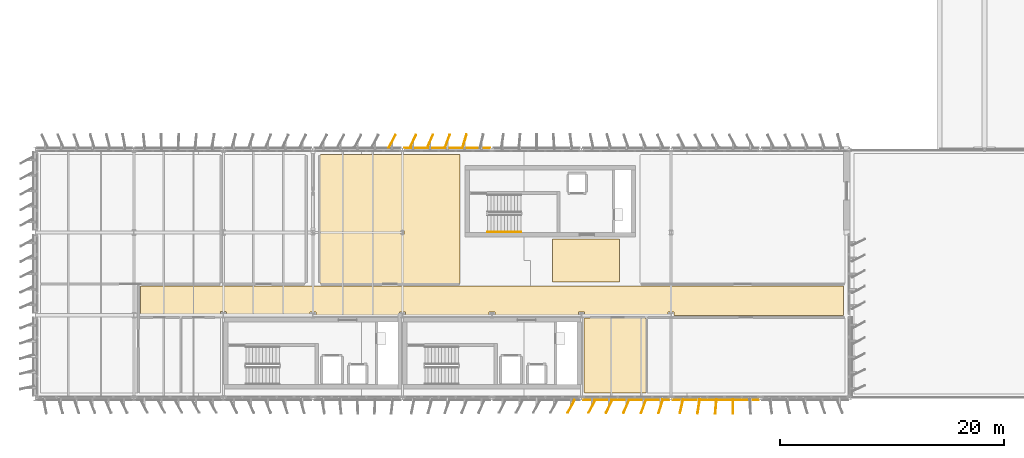
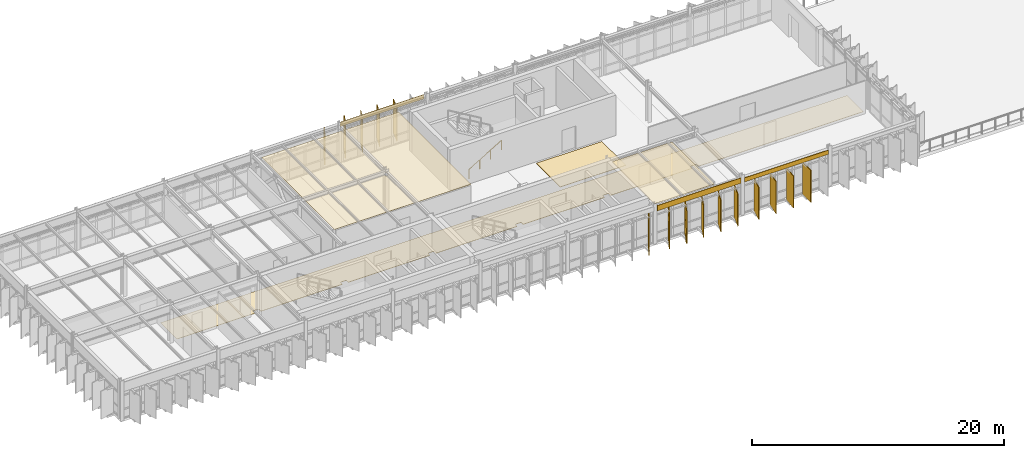
# One storey, part 33 of 35: 22 coverings, 1 railing.
"""IFC4 building model written with IfcOpenShell, lengths in metres."""

from ifc_helpers import new_model, si_unit, direction, frame, frame_2d, origin, origin_2d, place, context, subcontext, project, spatial, polyline, rectangle, circle, outline, extrude, material, layer, layer_set, type_object, element, save


model = new_model("IFC4")

# Units and contexts
model_context = context("Model", 3, precision=1e-05, world=origin(), true_north=direction((0.0, 1.0)))
body_context = subcontext(model_context, "Body", "Model", "MODEL_VIEW")
ifc_project = project(units=[si_unit("LENGTHUNIT", "METRE"), si_unit("AREAUNIT", "SQUARE_METRE"), si_unit("VOLUMEUNIT", "CUBIC_METRE"), si_unit("PLANEANGLEUNIT", "RADIAN"), si_unit("MASSUNIT", "GRAM", prefix="KILO")], contexts=[model_context])

# Site, building, storey
site_placement = place(None, origin())
site = spatial("IfcSite", under=ifc_project, at=site_placement, CompositionType="ELEMENT")
building_placement = place(site_placement, origin())
building = spatial("IfcBuilding", under=site, at=building_placement, Name="Valkorina Park Police Headquarters", CompositionType="ELEMENT")
storey_placement = place(building_placement, frame((0.0, 0.0, 27.199951171875)))
storey = spatial("IfcBuildingStorey", under=building, at=storey_placement, Name="L07", CompositionType="ELEMENT", Elevation=27.199951171875)

# Coverings
ifc_material_1 = material(Name="Acoustic mineral board")
ifc_layer_1 = layer(ifc_material_1, 0.02490234375)
ifc_layer_set_1 = layer_set([ifc_layer_1], Name="Acoustic mineral board")
covering_type_1 = type_object("IfcCoveringType", Name="COV-CEILING-ACOUST", PredefinedType="CEILING", material=ifc_layer_set_1)
covering_1_placement = place(storey_placement, frame((0.0, 0.0, 3.255126953125)))
element("IfcCovering", 1, at=covering_1_placement, inside=storey, type_object=covering_type_1, Name="Audio-Video Enhancement Laboratory Acoustic Suspended Ceiling", PredefinedType="CEILING", context=body_context, shape_type="SweptSolid", body=[
    extrude(outline(polyline([(37.8955078125, 58.758544921875), (37.8876953125, 58.759521484375), (37.8798828125, 58.760009765625), (25.52001953125, 58.760009765625), (25.51220703125, 58.759521484375), (25.50439453125, 58.758544921875), (25.496826171875, 58.756591796875), (25.489501953125, 58.75390625), (25.482421875, 58.75048828125), (25.4755859375, 58.74658203125), (25.46923828125, 58.74169921875), (25.46337890625, 58.736572265625), (25.458251953125, 58.730712890625), (25.45361328125, 58.724365234375), (25.449462890625, 58.7177734375), (25.446044921875, 58.710693359375), (25.443359375, 58.703125), (25.44140625, 58.695556640625), (25.4404296875, 58.687744140625), (25.43994140625, 58.679931640625), (25.43994140625, 47.320068359375), (25.4404296875, 47.312255859375), (25.44140625, 47.304443359375), (25.443359375, 47.296875), (25.446044921875, 47.289306640625), (25.449462890625, 47.2822265625), (25.45361328125, 47.275634765625), (25.458251953125, 47.269287109375), (25.46337890625, 47.263427734375), (25.46923828125, 47.25830078125), (25.4755859375, 47.25341796875), (25.482421875, 47.24951171875), (25.489501953125, 47.24609375), (25.496826171875, 47.243408203125), (25.50439453125, 47.241455078125), (25.51220703125, 47.240478515625), (25.52001953125, 47.239990234375), (37.8798828125, 47.239990234375), (37.8876953125, 47.240478515625), (37.8955078125, 47.241455078125), (37.9033203125, 47.243408203125), (37.91064453125, 47.24609375), (37.917724609375, 47.24951171875), (37.92431640625, 47.25341796875), (37.930908203125, 47.25830078125), (37.9365234375, 47.263427734375), (37.94189453125, 47.269287109375), (37.946533203125, 47.275634765625), (37.95068359375, 47.2822265625), (37.953857421875, 47.289306640625), (37.95654296875, 47.296875), (37.95849609375, 47.304443359375), (37.959716796875, 47.312255859375), (37.9599609375, 47.320068359375), (37.9599609375, 58.679931640625), (37.959716796875, 58.687744140625), (37.95849609375, 58.695556640625), (37.95654296875, 58.703125), (37.953857421875, 58.710693359375), (37.95068359375, 58.7177734375), (37.946533203125, 58.724365234375), (37.94189453125, 58.730712890625), (37.9365234375, 58.736572265625), (37.930908203125, 58.74169921875), (37.92431640625, 58.74658203125), (37.917724609375, 58.75048828125), (37.91064453125, 58.75390625), (37.9033203125, 58.756591796875), (37.8955078125, 58.758544921875)]), holes=[polyline([(32.64990234375, 51.60498046875), (32.64990234375, 51.9951171875), (32.949951171875, 51.9951171875), (32.949951171875, 51.60498046875), (32.64990234375, 51.60498046875)])]), origin(), (0.0, 0.0, 1.0), 0.02490234375),
])
covering_2_placement = place(storey_placement, frame((0.0, 0.0, 3.4150390625)))
element("IfcCovering", 2, at=covering_2_placement, inside=storey, type_object=covering_type_1, Name="L07 Accessible WC Acoustic Suspended Ceiling", PredefinedType="CEILING", context=body_context, shape_type="SweptSolid", body=[
    extrude(outline(polyline([(54.49560546875, 44.158447265625), (54.48779296875, 44.15966796875), (54.47998046875, 44.159912109375), (49.1201171875, 44.159912109375), (49.1123046875, 44.15966796875), (49.1044921875, 44.158447265625), (49.0966796875, 44.156494140625), (49.08935546875, 44.15380859375), (49.082275390625, 44.150634765625), (49.07568359375, 44.146484375), (49.069091796875, 44.141845703125), (49.0634765625, 44.13671875), (49.05810546875, 44.130859375), (49.053466796875, 44.12451171875), (49.04931640625, 44.11767578125), (49.046142578125, 44.110595703125), (49.04345703125, 44.103271484375), (49.04150390625, 44.095703125), (49.040283203125, 44.087890625), (49.0400390625, 44.080078125), (49.0400390625, 37.52001953125), (49.040283203125, 37.51220703125), (49.04150390625, 37.50439453125), (49.04345703125, 37.496826171875), (49.046142578125, 37.489501953125), (49.04931640625, 37.482421875), (49.053466796875, 37.4755859375), (49.05810546875, 37.46923828125), (49.0634765625, 37.46337890625), (49.069091796875, 37.458251953125), (49.07568359375, 37.45361328125), (49.082275390625, 37.449462890625), (49.08935546875, 37.446044921875), (49.0966796875, 37.443359375), (49.1044921875, 37.44140625), (49.1123046875, 37.4404296875), (49.1201171875, 37.43994140625), (54.47998046875, 37.43994140625), (54.48779296875, 37.4404296875), (54.49560546875, 37.44140625), (54.503173828125, 37.443359375), (54.510498046875, 37.446044921875), (54.517578125, 37.449462890625), (54.5244140625, 37.45361328125), (54.53076171875, 37.458251953125), (54.53662109375, 37.46337890625), (54.541748046875, 37.46923828125), (54.54638671875, 37.4755859375), (54.550537109375, 37.482421875), (54.553955078125, 37.489501953125), (54.556640625, 37.496826171875), (54.55859375, 37.50439453125), (54.5595703125, 37.51220703125), (54.56005859375, 37.52001953125), (54.56005859375, 44.080078125), (54.5595703125, 44.087890625), (54.55859375, 44.095703125), (54.556640625, 44.103271484375), (54.553955078125, 44.110595703125), (54.550537109375, 44.11767578125), (54.54638671875, 44.12451171875), (54.541748046875, 44.130859375), (54.53662109375, 44.13671875), (54.53076171875, 44.141845703125), (54.5244140625, 44.146484375), (54.517578125, 44.150634765625), (54.510498046875, 44.15380859375), (54.503173828125, 44.156494140625), (54.49560546875, 44.158447265625)])), origin(), (0.0, 0.0, 1.0), 0.02490234375),
])
ifc_material_2 = material(Name="Precast concrete C40/50", Category="concrete")
ifc_layer_2 = layer(ifc_material_2, 0.044921875)
ifc_layer_set_2 = layer_set([ifc_layer_2], Name="Precast concrete C40/50")
covering_type_2 = type_object("IfcCoveringType", Name="COV-CLAD-DOLOMITE", PredefinedType="CLADDING", material=ifc_layer_set_2)
covering_3_placement = place(storey_placement, frame((64.639892578125, 36.840087890625, 3.16015625), z_axis=(0.0, 0.0, 1.0), x_axis=(-1.0, 0.0, 0.0)))
element("IfcCovering", 3, at=covering_3_placement, inside=storey, type_object=covering_type_2, Name="L07 Spandrel Beam Insulated Fascia 2553", PredefinedType="CLADDING", context=body_context, shape_type="SweptSolid", body=[
    extrude(rectangle(XDim=7.679931640625, YDim=0.044921875, at=frame_2d((3.83984375, 0.0))), origin(), (0.0, 0.0, 1.0), 0.409912109375),
])
covering_4_placement = place(storey_placement, frame((56.639892578125, 36.840087890625, 3.16015625), z_axis=(0.0, 0.0, 1.0), x_axis=(-1.0, 0.0, 0.0)))
element("IfcCovering", 4, at=covering_4_placement, inside=storey, type_object=covering_type_2, Name="L07 Spandrel Beam Insulated Fascia 2554", PredefinedType="CLADDING", context=body_context, shape_type="SweptSolid", body=[
    extrude(rectangle(XDim=7.679931640625, YDim=0.044921875, at=frame_2d((3.83984375, 0.0))), origin(), (0.0, 0.0, 1.0), 0.519775390625),
])
covering_5_placement = place(storey_placement, frame((32.9599609375, 59.360107421875, 3.27001953125), z_axis=(0.0, 0.0, 1.0), x_axis=(1.0, 0.0, 0.0)))
element("IfcCovering", 5, at=covering_5_placement, inside=storey, type_object=covering_type_2, Name="L07 Spandrel Beam Insulated Fascia 2568", PredefinedType="CLADDING", context=body_context, shape_type="SweptSolid", body=[
    extrude(rectangle(XDim=7.679931640625, YDim=0.044921875, at=frame_2d((3.83984375, 0.0))), origin(), (0.0, 0.0, 1.0), 0.409912109375),
])
ifc_material_3 = material(Name="Resin terrazzo flooring")
ifc_layer_3 = layer(ifc_material_3, 0.030029296875)
ifc_layer_set_3 = layer_set([ifc_layer_3], Name="Resin terrazzo flooring")
covering_type_3 = type_object("IfcCoveringType", Name="COV-FLOOR-TERRAZZO", PredefinedType="FLOORING", material=ifc_layer_set_3)
covering_6_placement = place(storey_placement, origin())
element("IfcCovering", 6, at=covering_6_placement, inside=storey, type_object=covering_type_3, Name="L07 Taskforce and Intelligence Corridor Terrazzo Flooring", PredefinedType="FLOORING", context=body_context, shape_type="SweptSolid", body=[
    extrude(outline(polyline([(9.39990234375, 47.0), (9.39990234375, 44.39990234375), (16.530029296875, 44.39990234375), (16.530029296875, 44.6650390625), (16.530517578125, 44.6728515625), (16.531494140625, 44.6806640625), (16.533447265625, 44.688232421875), (16.5361328125, 44.695556640625), (16.539306640625, 44.70263671875), (16.54345703125, 44.70947265625), (16.548095703125, 44.7158203125), (16.553466796875, 44.7216796875), (16.55908203125, 44.726806640625), (16.565673828125, 44.7314453125), (16.572265625, 44.735595703125), (16.579345703125, 44.739013671875), (16.5869140625, 44.74169921875), (16.594482421875, 44.743408203125), (16.602294921875, 44.74462890625), (16.610107421875, 44.7451171875), (16.989990234375, 44.7451171875), (16.997802734375, 44.74462890625), (17.005615234375, 44.743408203125), (17.01318359375, 44.74169921875), (17.0205078125, 44.739013671875), (17.027587890625, 44.735595703125), (17.034423828125, 44.7314453125), (17.040771484375, 44.726806640625), (17.046630859375, 44.7216796875), (17.0517578125, 44.7158203125), (17.056396484375, 44.70947265625), (17.060546875, 44.70263671875), (17.06396484375, 44.695556640625), (17.066650390625, 44.688232421875), (17.068603515625, 44.6806640625), (17.069580078125, 44.6728515625), (17.070068359375, 44.6650390625), (17.070068359375, 44.39990234375), (24.530029296875, 44.39990234375), (24.530029296875, 44.635009765625), (24.530517578125, 44.642822265625), (24.531494140625, 44.650634765625), (24.533447265625, 44.658203125), (24.5361328125, 44.66552734375), (24.539306640625, 44.672607421875), (24.54345703125, 44.679443359375), (24.548095703125, 44.685791015625), (24.553466796875, 44.691650390625), (24.55908203125, 44.69677734375), (24.565673828125, 44.701416015625), (24.572265625, 44.70556640625), (24.579345703125, 44.708984375), (24.5869140625, 44.711669921875), (24.594482421875, 44.71337890625), (24.602294921875, 44.714599609375), (24.610107421875, 44.715087890625), (24.989990234375, 44.715087890625), (24.997802734375, 44.714599609375), (25.005615234375, 44.71337890625), (25.01318359375, 44.711669921875), (25.0205078125, 44.708984375), (25.027587890625, 44.70556640625), (25.034423828125, 44.701416015625), (25.040771484375, 44.69677734375), (25.046630859375, 44.691650390625), (25.0517578125, 44.685791015625), (25.056396484375, 44.679443359375), (25.060546875, 44.672607421875), (25.06396484375, 44.66552734375), (25.066650390625, 44.658203125), (25.068603515625, 44.650634765625), (25.069580078125, 44.642822265625), (25.070068359375, 44.635009765625), (25.070068359375, 44.39990234375), (32.530029296875, 44.39990234375), (32.530029296875, 44.635009765625), (32.530517578125, 44.642822265625), (32.531494140625, 44.650634765625), (32.533447265625, 44.658203125), (32.5361328125, 44.66552734375), (32.539306640625, 44.672607421875), (32.54345703125, 44.679443359375), (32.548095703125, 44.685791015625), (32.553466796875, 44.691650390625), (32.55908203125, 44.69677734375), (32.565673828125, 44.701416015625), (32.572265625, 44.70556640625), (32.579345703125, 44.708984375), (32.5869140625, 44.711669921875), (32.594482421875, 44.71337890625), (32.602294921875, 44.714599609375), (32.610107421875, 44.715087890625), (32.989990234375, 44.715087890625), (32.997802734375, 44.714599609375), (33.005615234375, 44.71337890625), (33.01318359375, 44.711669921875), (33.0205078125, 44.708984375), (33.027587890625, 44.70556640625), (33.034423828125, 44.701416015625), (33.040771484375, 44.69677734375), (33.046630859375, 44.691650390625), (33.0517578125, 44.685791015625), (33.056396484375, 44.679443359375), (33.060546875, 44.672607421875), (33.06396484375, 44.66552734375), (33.066650390625, 44.658203125), (33.068603515625, 44.650634765625), (33.069580078125, 44.642822265625), (33.070068359375, 44.635009765625), (33.070068359375, 44.39990234375), (40.530029296875, 44.39990234375), (40.530029296875, 44.635009765625), (40.530517578125, 44.642822265625), (40.531494140625, 44.650634765625), (40.533447265625, 44.658203125), (40.5361328125, 44.66552734375), (40.539306640625, 44.672607421875), (40.54345703125, 44.679443359375), (40.548095703125, 44.685791015625), (40.553466796875, 44.691650390625), (40.55908203125, 44.69677734375), (40.565673828125, 44.701416015625), (40.572265625, 44.70556640625), (40.579345703125, 44.708984375), (40.5869140625, 44.711669921875), (40.594482421875, 44.71337890625), (40.602294921875, 44.714599609375), (40.610107421875, 44.715087890625), (40.989990234375, 44.715087890625), (40.997802734375, 44.714599609375), (41.005615234375, 44.71337890625), (41.01318359375, 44.711669921875), (41.0205078125, 44.708984375), (41.027587890625, 44.70556640625), (41.034423828125, 44.701416015625), (41.040771484375, 44.69677734375), (41.046630859375, 44.691650390625), (41.0517578125, 44.685791015625), (41.056396484375, 44.679443359375), (41.060546875, 44.672607421875), (41.06396484375, 44.66552734375), (41.066650390625, 44.658203125), (41.068603515625, 44.650634765625), (41.069580078125, 44.642822265625), (41.070068359375, 44.635009765625), (41.070068359375, 44.39990234375), (48.530029296875, 44.39990234375), (48.530029296875, 44.635009765625), (48.530517578125, 44.642822265625), (48.531494140625, 44.650634765625), (48.533447265625, 44.658203125), (48.5361328125, 44.66552734375), (48.539306640625, 44.672607421875), (48.54345703125, 44.679443359375), (48.548095703125, 44.685791015625), (48.553466796875, 44.691650390625), (48.55908203125, 44.69677734375), (48.565673828125, 44.701416015625), (48.572265625, 44.70556640625), (48.579345703125, 44.708984375), (48.5869140625, 44.711669921875), (48.594482421875, 44.71337890625), (48.602294921875, 44.714599609375), (48.610107421875, 44.715087890625), (48.989990234375, 44.715087890625), (48.997802734375, 44.714599609375), (49.005615234375, 44.71337890625), (49.01318359375, 44.711669921875), (49.0205078125, 44.708984375), (49.027587890625, 44.70556640625), (49.034423828125, 44.701416015625), (49.040771484375, 44.69677734375), (49.046630859375, 44.691650390625), (49.0517578125, 44.685791015625), (49.056396484375, 44.679443359375), (49.060546875, 44.672607421875), (49.06396484375, 44.66552734375), (49.066650390625, 44.658203125), (49.068603515625, 44.650634765625), (49.069580078125, 44.642822265625), (49.070068359375, 44.635009765625), (49.070068359375, 44.39990234375), (56.530029296875, 44.39990234375), (56.530029296875, 44.635009765625), (56.530517578125, 44.642822265625), (56.531494140625, 44.650634765625), (56.533447265625, 44.658203125), (56.5361328125, 44.66552734375), (56.539306640625, 44.672607421875), (56.54345703125, 44.679443359375), (56.548095703125, 44.685791015625), (56.553466796875, 44.691650390625), (56.55908203125, 44.69677734375), (56.565673828125, 44.701416015625), (56.572265625, 44.70556640625), (56.579345703125, 44.708984375), (56.5869140625, 44.711669921875), (56.594482421875, 44.71337890625), (56.602294921875, 44.714599609375), (56.610107421875, 44.715087890625), (56.989990234375, 44.715087890625), (56.997802734375, 44.714599609375), (57.005615234375, 44.71337890625), (57.01318359375, 44.711669921875), (57.0205078125, 44.708984375), (57.027587890625, 44.70556640625), (57.034423828125, 44.701416015625), (57.040771484375, 44.69677734375), (57.046630859375, 44.691650390625), (57.0517578125, 44.685791015625), (57.056396484375, 44.679443359375), (57.060546875, 44.672607421875), (57.06396484375, 44.66552734375), (57.066650390625, 44.658203125), (57.068603515625, 44.650634765625), (57.069580078125, 44.642822265625), (57.070068359375, 44.635009765625), (57.070068359375, 44.39990234375), (72.199951171875, 44.39990234375), (72.199951171875, 47.0), (9.39990234375, 47.0)])), origin(), (0.0, 0.0, 1.0), 0.030029296875),
])
covering_7_placement = place(storey_placement, origin())
element("IfcCovering", 7, at=covering_7_placement, inside=storey, type_object=covering_type_3, Name="L07 Core C3 Access Corridor Terrazzo Flooring", PredefinedType="FLOORING", context=body_context, shape_type="SweptSolid", body=[
    extrude(outline(polyline([(46.199951171875, 51.199951171875), (46.199951171875, 47.39990234375), (52.199951171875, 47.39990234375), (52.199951171875, 51.199951171875), (46.199951171875, 51.199951171875)])), origin(), (0.0, 0.0, 1.0), 0.030029296875),
])

# Railing
ifc_material_4 = material(Name="Stainless steel EN 1.4404", Category="steel")
railing_type = type_object("IfcRailingType", Name="RL-HANDRAIL-900", PredefinedType="HANDRAIL", material=ifc_material_4)
railing_placement = place(storey_placement, frame((40.39990234375, 51.85009765625, 0.17724609375)))
element("IfcRailing", 8, at=railing_placement, inside=storey, type_object=railing_type, Name="L07 Core C3 Stair Handrail 1", PredefinedType="HANDRAIL", context=body_context, shape_type="SweptSolid", body=[
    extrude(circle(Radius=0.02392578125, at=origin_2d()), frame((0.0, 0.0, 0.8759765625), z_axis=(0.86092931783, 0.0, 0.508724591208), x_axis=(0.0, 1.0, 0.0)), (0.0, 0.0, 1.0), 3.484619140625),
    extrude(circle(Radius=0.02099609375, at=origin_2d()), origin(), (0.0, 0.0, 1.0), 0.851806640625),
    extrude(circle(Radius=0.02099609375, at=origin_2d()), frame((1.0, 0.0, 0.5908203125)), (0.0, 0.0, 1.0), 0.851806640625),
    extrude(circle(Radius=0.02099609375, at=origin_2d()), frame((2.0, 0.0, 1.181884765625)), (0.0, 0.0, 1.0), 0.851806640625),
    extrude(circle(Radius=0.02099609375, at=origin_2d()), frame((3.0, 0.0, 1.772705078125)), (0.0, 0.0, 1.0), 0.851806640625),
])

# Coverings
ifc_material_5 = material(Name="Polychrome anodized aluminium - Baltic Amber", Category="aluminium")
ifc_layer_4 = layer(ifc_material_5, 0.06494140625)
ifc_layer_set_4 = layer_set([ifc_layer_4], Name="Polychrome anodized aluminium - Baltic Amber")
covering_type_4 = type_object("IfcCoveringType", Name="SHD-LOUVRE-AMBER", PredefinedType="CLADDING", material=ifc_layer_set_4)
for number, where, z_axis, x_axis, name in (
    (9, (60.800048828125, 36.260009765625, 0.0400390625), (0.0, 0.0, 1.0), (-0.083156069445, -0.996536536267, 0.0), "V5 Polychrome Pivoting Louvre 0469"),
    (10, (54.3359375, 36.260009765625, 0.0400390625), (0.0, 0.0, 1.0), (-0.348244852958, -0.937403606985, 0.0), "V5 Polychrome Pivoting Louvre 0473"),
):
    element("IfcCovering", number, at=place(storey_placement, frame(where, z_axis=z_axis, x_axis=x_axis)), inside=storey, type_object=covering_type_4, Name=name, PredefinedType="CLADDING", context=body_context, shape_type="SweptSolid", body=[
        extrude(rectangle(XDim=1.280029296875, YDim=0.06494140625, at=origin_2d()), origin(), (0.0, 0.0, 1.0), 3.10009765625),
    ])
covering_8_placement = place(storey_placement, frame((47.8720703125, 36.260009765625, 0.0400390625), z_axis=(0.0, 0.0, 1.0), x_axis=(-0.477925491081, -0.878400378515, 0.0)))
element("IfcCovering", 11, at=covering_8_placement, inside=storey, type_object=covering_type_4, Name="V5 Polychrome Pivoting Louvre 0477", PredefinedType="CLADDING", context=body_context, shape_type="SweptSolid", body=[
    extrude(rectangle(XDim=1.280029296875, YDim=0.06494140625, at=origin_2d()), origin(), (0.0, 0.0, 1.0), 3.169921875),
])
covering_9_placement = place(storey_placement, frame((31.8720703125, 59.93994140625, 0.0400390625), z_axis=(0.0, 0.0, 1.0), x_axis=(0.461903418797, 0.886930229333, 0.0)))
element("IfcCovering", 12, at=covering_9_placement, inside=storey, type_object=covering_type_4, Name="V5 Polychrome Pivoting Louvre 0543", PredefinedType="CLADDING", context=body_context, shape_type="SweptSolid", body=[
    extrude(rectangle(XDim=1.280029296875, YDim=0.06494140625, at=origin_2d()), origin(), (0.0, 0.0, 1.0), 2.7099609375),
])
covering_10_placement = place(storey_placement, frame((38.3359375, 59.93994140625, 0.0400390625), z_axis=(0.0, 0.0, 1.0), x_axis=(0.295541318014, 0.955329958363, 0.0)))
element("IfcCovering", 13, at=covering_10_placement, inside=storey, type_object=covering_type_4, Name="V5 Polychrome Pivoting Louvre 0547", PredefinedType="CLADDING", context=body_context, shape_type="SweptSolid", body=[
    extrude(rectangle(XDim=1.280029296875, YDim=0.06494140625, at=origin_2d()), origin(), (0.0, 0.0, 1.0), 3.2099609375),
])
ifc_material_6 = material(Name="Polychrome anodized aluminium - Riga Ochre", Category="aluminium")
ifc_layer_5 = layer(ifc_material_6, 0.06494140625)
ifc_layer_set_5 = layer_set([ifc_layer_5], Name="Polychrome anodized aluminium - Riga Ochre")
covering_type_5 = type_object("IfcCoveringType", Name="SHD-LOUVRE-OCHRE", PredefinedType="CLADDING", material=ifc_layer_set_5)
for number, where, z_axis, x_axis, name in (
    (14, (57.72802734375, 36.260009765625, 0.0400390625), (0.0, 0.0, 1.0), (-0.221548497619, -0.975149354306, 0.0), "V5 Polychrome Pivoting Louvre 0471"),
    (15, (51.263916015625, 36.260009765625, 0.0400390625), (0.0, 0.0, 1.0), (-0.429880868547, -0.902885617815, 0.0), "V5 Polychrome Pivoting Louvre 0475"),
):
    element("IfcCovering", number, at=place(storey_placement, frame(where, z_axis=z_axis, x_axis=x_axis)), inside=storey, type_object=covering_type_5, Name=name, PredefinedType="CLADDING", context=body_context, shape_type="SweptSolid", body=[
        extrude(rectangle(XDim=1.280029296875, YDim=0.06494140625, at=origin_2d()), origin(), (0.0, 0.0, 1.0), 3.10009765625),
    ])
covering_11_placement = place(storey_placement, frame((35.263916015625, 59.93994140625, 0.0400390625), z_axis=(0.0, 0.0, 1.0), x_axis=(0.393621046838, 0.919272794923, 0.0)))
element("IfcCovering", 16, at=covering_11_placement, inside=storey, type_object=covering_type_5, Name="V5 Polychrome Pivoting Louvre 0545", PredefinedType="CLADDING", context=body_context, shape_type="SweptSolid", body=[
    extrude(rectangle(XDim=1.280029296875, YDim=0.06494140625, at=origin_2d()), origin(), (0.0, 0.0, 1.0), 3.2099609375),
])
ifc_material_7 = material(Name="Polychrome anodized aluminium - Courland Slate Blue", Category="masonry")
ifc_layer_6 = layer(ifc_material_7, 0.06494140625)
ifc_layer_set_6 = layer_set([ifc_layer_6], Name="Polychrome anodized aluminium - Courland Slate Blue")
covering_type_6 = type_object("IfcCoveringType", Name="SHD-LOUVRE-SLATE", PredefinedType="CLADDING", material=ifc_layer_set_6)
for number, where, z_axis, x_axis, name in (
    (17, (62.3359375, 36.260009765625, 0.0400390625), (0.0, 0.0, 1.0), (-0.009773688199, -0.999952236369, 0.0), "V5 Polychrome Pivoting Louvre 0468"),
    (18, (55.8720703125, 36.260009765625, 0.0400390625), (0.0, 0.0, 1.0), (-0.295207826951, -0.955433063541, 0.0), "V5 Polychrome Pivoting Louvre 0472"),
    (19, (49.72802734375, 36.260009765625, 0.0400390625), (0.0, 0.0, 1.0), (-0.457253152537, -0.889336581107, 0.0), "V5 Polychrome Pivoting Louvre 0476"),
):
    element("IfcCovering", number, at=place(storey_placement, frame(where, z_axis=z_axis, x_axis=x_axis)), inside=storey, type_object=covering_type_6, Name=name, PredefinedType="CLADDING", context=body_context, shape_type="SweptSolid", body=[
        extrude(rectangle(XDim=1.280029296875, YDim=0.06494140625, at=origin_2d()), origin(), (0.0, 0.0, 1.0), 3.10009765625),
    ])
covering_12_placement = place(storey_placement, frame((36.800048828125, 59.93994140625, 0.0400390625), z_axis=(0.0, 0.0, 1.0), x_axis=(0.348572047322, 0.937281989492, 0.0)))
element("IfcCovering", 20, at=covering_12_placement, inside=storey, type_object=covering_type_6, Name="V5 Polychrome Pivoting Louvre 0546", PredefinedType="CLADDING", context=body_context, shape_type="SweptSolid", body=[
    extrude(rectangle(XDim=1.280029296875, YDim=0.06494140625, at=origin_2d()), origin(), (0.0, 0.0, 1.0), 3.2099609375),
])
ifc_material_8 = material(Name="Polychrome anodized aluminium - Pine Verdigris", Category="aluminium")
ifc_layer_7 = layer(ifc_material_8, 0.06494140625)
ifc_layer_set_7 = layer_set([ifc_layer_7], Name="Polychrome anodized aluminium - Pine Verdigris")
covering_type_7 = type_object("IfcCoveringType", Name="SHD-LOUVRE-VERDIGRIS", PredefinedType="CLADDING", material=ifc_layer_set_7)
for number, where, z_axis, x_axis, name in (
    (21, (59.263916015625, 36.260009765625, 0.0400390625), (0.0, 0.0, 1.0), (-0.15436551383, -0.988013809691, 0.0), "V5 Polychrome Pivoting Louvre 0470"),
    (22, (52.800048828125, 36.260009765625, 0.0400390625), (0.0, 0.0, 1.0), (-0.393460597474, -0.919341480754, 0.0), "V5 Polychrome Pivoting Louvre 0474"),
):
    element("IfcCovering", number, at=place(storey_placement, frame(where, z_axis=z_axis, x_axis=x_axis)), inside=storey, type_object=covering_type_7, Name=name, PredefinedType="CLADDING", context=body_context, shape_type="SweptSolid", body=[
        extrude(rectangle(XDim=1.280029296875, YDim=0.06494140625, at=origin_2d()), origin(), (0.0, 0.0, 1.0), 3.10009765625),
    ])
covering_13_placement = place(storey_placement, frame((33.72802734375, 59.93994140625, 0.0400390625), z_axis=(0.0, 0.0, 1.0), x_axis=(0.430038445267, 0.902810575698, 0.0)))
element("IfcCovering", 23, at=covering_13_placement, inside=storey, type_object=covering_type_7, Name="V5 Polychrome Pivoting Louvre 0544", PredefinedType="CLADDING", context=body_context, shape_type="SweptSolid", body=[
    extrude(rectangle(XDim=1.280029296875, YDim=0.06494140625, at=origin_2d()), origin(), (0.0, 0.0, 1.0), 3.2099609375),
])

save(model, "model.ifc")
